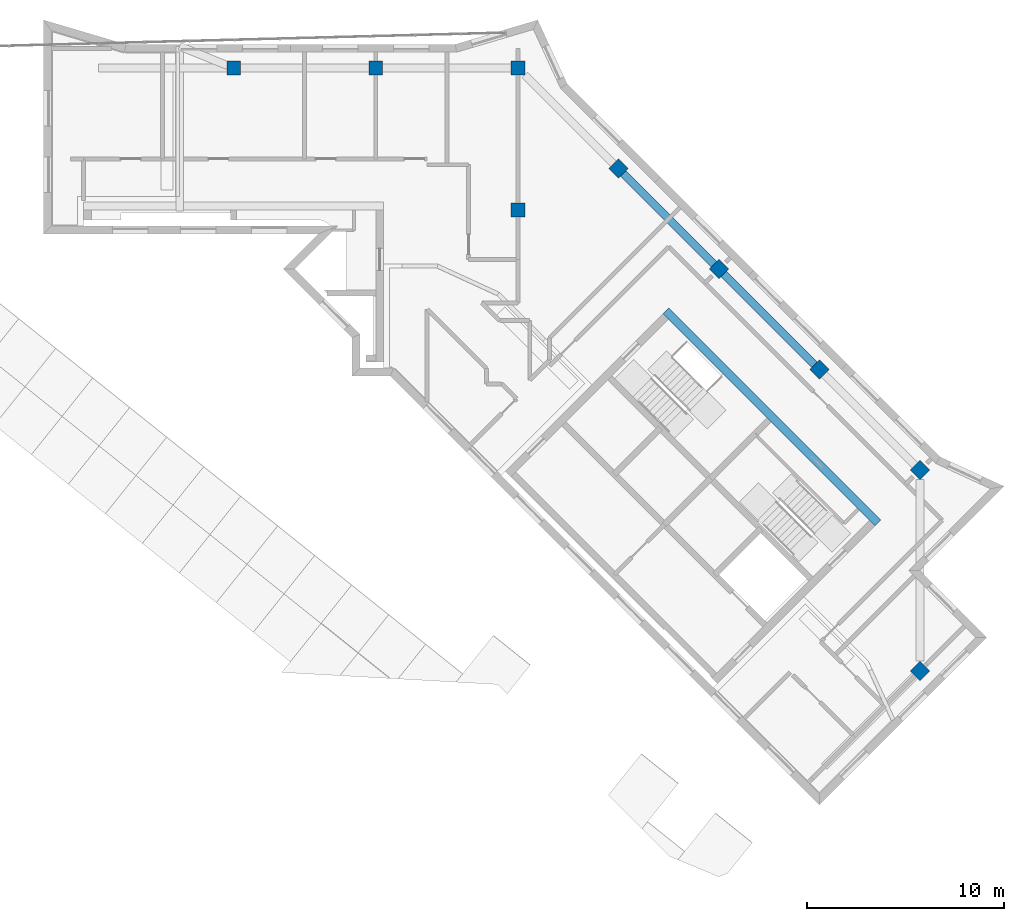
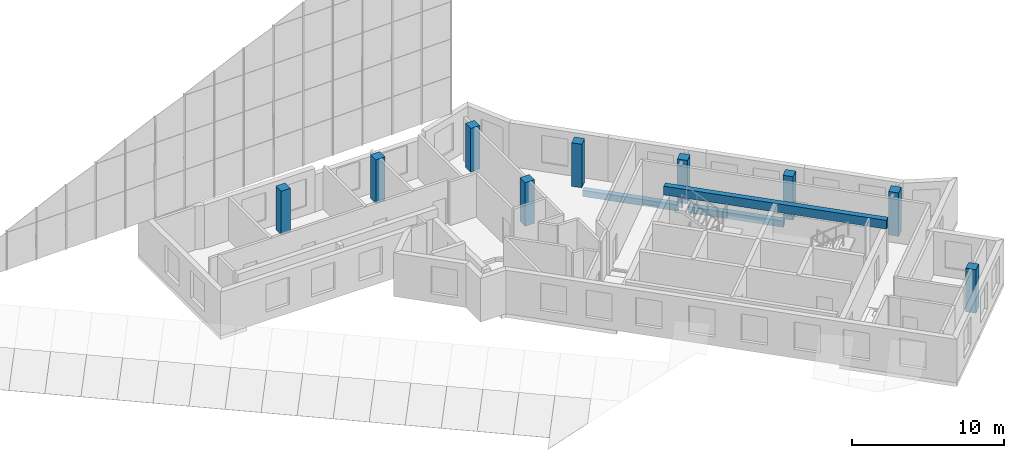
# One storey, part 1 of 13: 9 columns, 3 beams.
"""IFC4 building model written with IfcOpenShell, lengths in metres."""

import ifcopenshell
import ifcopenshell.guid

model = None  # the IFC model being written
_history = None  # IfcOwnerHistory: only IFC2X3 demands one
_inside = {}  # id of a spatial element -> (the spatial element, [elements in it])
_under = {}  # id of a project, library or spatial element -> (it, [spatial elements below it])
_declared = {}  # id of a project -> (the project, [libraries it declares])
_typed = {}  # id of a type object -> (the type object, [elements of that type])
_made_of = {}  # id of a material, layer set ... -> (it, [elements and type objects made of it])


def new_model(schema):
    """Start an empty IFC model of exactly this schema.

    Asked for "IFC4X3", IfcOpenShell would pick the latest addendum, in which some entities
    have other attributes; the version numbers below select the first issue.
    IFC2X3 requires an IfcOwnerHistory on every rooted entity: one is made here for all.
    """
    global model, _history
    if schema == "IFC4X3":
        model = ifcopenshell.file(schema_version=(4, 3, 0, 0))
    else:
        model = ifcopenshell.file(schema=schema)
    _inside.clear()
    _under.clear()
    _declared.clear()
    _typed.clear()
    _made_of.clear()
    _history = None
    if model.schema == "IFC2X3":
        org = make("IfcOrganization", Name="unknown")
        user = make(
            "IfcPersonAndOrganization",
            ThePerson=make("IfcPerson", FamilyName="unknown"),
            TheOrganization=org,
        )
        app = make(
            "IfcApplication",
            ApplicationDeveloper=org,
            Version="unknown",
            ApplicationFullName="unknown",
            ApplicationIdentifier="unknown",
        )
        _history = make(
            "IfcOwnerHistory",
            OwningUser=user,
            OwningApplication=app,
            ChangeAction="ADDED",
            CreationDate=0,
        )
    return model


def make(cls, **values):
    """One entity of the class cls with the attributes given. An attribute that is None is left unset."""
    return model.create_entity(
        cls, **{name: value for name, value in values.items() if value is not None}
    )


def rooted(cls, **values):
    """An entity with a GlobalId (a new one), such as an element, a storey or a relation."""
    return make(cls, GlobalId=ifcopenshell.guid.new(), OwnerHistory=_history, **values)


def si_unit(unit_type, name, prefix=None):
    """IfcSIUnit, for example si_unit("LENGTHUNIT", "METRE", prefix="MILLI")."""
    return make("IfcSIUnit", UnitType=unit_type, Prefix=prefix, Name=name)


def assignment(units):
    """IfcUnitAssignment: the units of a project."""
    return None if units is None else make("IfcUnitAssignment", Units=units)


def point(xyz):
    """IfcCartesianPoint."""
    return None if xyz is None else make("IfcCartesianPoint", Coordinates=xyz)


def direction(xyz):
    """IfcDirection."""
    return None if xyz is None else make("IfcDirection", DirectionRatios=xyz)


def frame(location, z_axis=None, x_axis=None):
    """IfcAxis2Placement3D, a coordinate frame: its origin and axes. An axis left out is left unset."""
    return make(
        "IfcAxis2Placement3D",
        Location=point(location),
        Axis=direction(z_axis),
        RefDirection=direction(x_axis),
    )


def frame_2d(location, x_axis=None):
    """IfcAxis2Placement2D, a coordinate frame in the plane: its origin and x axis."""
    return make(
        "IfcAxis2Placement2D", Location=point(location), RefDirection=direction(x_axis)
    )


def origin():
    """The frame at (0, 0, 0) with its axes left unset."""
    return frame((0.0, 0.0, 0.0))


def origin_2d():
    """The frame at (0, 0) in the plane with its x axis left unset."""
    return frame_2d((0.0, 0.0))


def place(relative_to, where):
    """IfcLocalPlacement: puts the frame where relative to a parent placement (None: the world)."""
    return make(
        "IfcLocalPlacement", PlacementRelTo=relative_to, RelativePlacement=where
    )


def context(
    kind, dimensions, precision=None, world=None, true_north=None, identifier=None
):
    """IfcGeometricRepresentationContext, for example the 3D "Model" context."""
    return make(
        "IfcGeometricRepresentationContext",
        ContextIdentifier=identifier,
        ContextType=kind,
        CoordinateSpaceDimension=dimensions,
        Precision=precision,
        WorldCoordinateSystem=world,
        TrueNorth=true_north,
    )


def subcontext(parent, identifier, kind, view, scale=None):
    """IfcGeometricRepresentationSubContext, for example "Body" below "Model"."""
    return make(
        "IfcGeometricRepresentationSubContext",
        ContextIdentifier=identifier,
        ContextType=kind,
        ParentContext=parent,
        TargetScale=scale,
        TargetView=view,
    )


def project(units=None, contexts=None):
    """IfcProject with its units and contexts."""
    return rooted(
        "IfcProject",
        Name="project",
        RepresentationContexts=contexts,
        UnitsInContext=assignment(units),
    )


def spatial(cls, under=None, at=None, **own):
    """A site, building, storey or space (cls), placed at a placement, below another one or the project."""
    s = rooted(cls, ObjectPlacement=at, **own)
    if under is not None:
        _under.setdefault(under.id(), (under, []))[1].append(s)
    return s


def profile(cls, at=None, kind="AREA", **sizes):
    """A parametric profile (cls). Its sizes go by their IFC names, for example OverallWidth=200.0."""
    return make(cls, ProfileType=kind, Position=at, **sizes)


def rectangle(**sizes):
    """IfcRectangleProfileDef."""
    return profile("IfcRectangleProfileDef", **sizes)


def extrude(swept, where, along, depth):
    """IfcExtrudedAreaSolid: the profile swept, set in the frame where, extruded along a direction by depth."""
    return make(
        "IfcExtrudedAreaSolid",
        SweptArea=swept,
        Position=where,
        ExtrudedDirection=direction(along),
        Depth=depth,
    )


def shape(context_of_items, identifier, shape_type, items):
    """IfcShapeRepresentation: the items that make up one representation, for example the "Body"."""
    return make(
        "IfcShapeRepresentation",
        ContextOfItems=context_of_items,
        RepresentationIdentifier=identifier,
        RepresentationType=shape_type,
        Items=items,
    )


def material(Name=None, Category=None):
    """IfcMaterial."""
    return make("IfcMaterial", Name=Name, Category=Category)


def material_profile(
    of_material, cross_section, Name=None, Category=None, Priority=None
):
    """IfcMaterialProfile: a cross section and its material."""
    return make(
        "IfcMaterialProfile",
        Name=Name,
        Material=of_material,
        Profile=cross_section,
        Priority=Priority,
        Category=Category,
    )


def profile_set(profiles, Name=None, composite=None):
    """IfcMaterialProfileSet."""
    return make(
        "IfcMaterialProfileSet",
        Name=Name,
        MaterialProfiles=profiles,
        CompositeProfile=composite,
    )


def made_of(thing, what):
    """Note that an element or type object is made of a material, layer set ...; save() writes the relation."""
    if what is not None:
        _made_of.setdefault(what.id(), (what, []))[1].append(thing)
    return thing


def type_object(cls, material=None, **own):
    """A type object (cls), such as IfcWallType, which elements share."""
    return made_of(rooted(cls, **own), material)


def element(
    cls,
    number,
    at=None,
    inside=None,
    cuts=None,
    type_object=None,
    material=None,
    context=None,
    identifier="Body",
    shape_type=None,
    held_by="IfcProductDefinitionShape",
    body=None,
    shapes=None,
    **own,
):
    """One element of the class cls, such as IfcWall. Its Tag is "e" and its number.

    at: its placement. inside: the storey or other place that contains it. cuts: it is an
    opening in that element (IfcRelVoidsElement). A single representation is given by context,
    identifier, shape_type and body (its items); several are given by shapes. held_by: the class
    of the entity that holds the representations. save() writes the other relations.
    """
    e = rooted(cls, Tag="e%d" % number, ObjectPlacement=at, **own)
    if body is not None:
        shapes = [shape(context, identifier, shape_type, body)]
    if shapes is not None:
        e.Representation = make(held_by, Representations=shapes)
    if inside is not None:
        _inside.setdefault(inside.id(), (inside, []))[1].append(e)
    if cuts is not None:
        rooted(
            "IfcRelVoidsElement", RelatingBuildingElement=cuts, RelatedOpeningElement=e
        )
    if type_object is not None:
        _typed.setdefault(type_object.id(), (type_object, []))[1].append(e)
    return made_of(e, material)


def aggregate(whole, parts):
    """IfcRelAggregates: a whole, such as a stair, and the parts it consists of."""
    return rooted("IfcRelAggregates", RelatingObject=whole, RelatedObjects=parts)


def save(model, path):
    """Write the relations noted so far, then the file.

    IfcRelAggregates (storeys below a building ...), IfcRelContainedInSpatialStructure (elements
    in a storey), IfcRelDefinesByType, IfcRelAssociatesMaterial and IfcRelDeclares: one each for
    every whole, place, type object, material and project.
    """
    for whole, parts in _under.values():
        aggregate(whole, parts)
    for where, things in _inside.values():
        rooted(
            "IfcRelContainedInSpatialStructure",
            RelatedElements=things,
            RelatingStructure=where,
        )
    for kind, things in _typed.values():
        rooted("IfcRelDefinesByType", RelatedObjects=things, RelatingType=kind)
    for what, things in _made_of.values():
        rooted("IfcRelAssociatesMaterial", RelatedObjects=things, RelatingMaterial=what)
    for by, libraries in _declared.values():
        rooted("IfcRelDeclares", RelatingContext=by, RelatedDefinitions=libraries)
    model.write(path)


model = new_model("IFC4")

# Units and contexts
model_context = context("Model", 3, precision=1e-05, world=origin(), true_north=direction((0.0, 1.0)))
body_context = subcontext(model_context, "Body", "Model", "MODEL_VIEW")
ifc_project = project(units=[si_unit("LENGTHUNIT", "METRE"), si_unit("AREAUNIT", "SQUARE_METRE"), si_unit("VOLUMEUNIT", "CUBIC_METRE"), si_unit("PLANEANGLEUNIT", "RADIAN"), si_unit("MASSUNIT", "GRAM", prefix="KILO")], contexts=[model_context])

# Site, building, storey
site_placement = place(None, origin())
site = spatial("IfcSite", under=ifc_project, at=site_placement, CompositionType="ELEMENT")
building_placement = place(site_placement, origin())
building = spatial("IfcBuilding", under=site, at=building_placement, Name="Windrow Commons", CompositionType="ELEMENT")
storey_placement = place(building_placement, frame((0.0, 0.0, 302.0)))
storey = spatial("IfcBuildingStorey", under=building, at=storey_placement, Name="L82", CompositionType="ELEMENT", Elevation=302.0)

# Columns
ifc_material_1 = material(Name="Concrete C40/50", Category="concrete")
ifc_material_profile_1 = material_profile(ifc_material_1, rectangle(XDim=0.7, YDim=0.7, at=origin_2d()))
ifc_profile_set_1 = profile_set([ifc_material_profile_1], Name="Concrete C40/50")
column_type = type_object("IfcColumnType", Name="RC COLUMN 700x700 C40/50", PredefinedType="COLUMN", material=ifc_profile_set_1)
for number, where, z_axis, x_axis, name in (
    (1, (64.8, 72.0, 0.0), (0.0, 0.0, 1.0), (1.0, 0.0, 0.0), "C-C-10J"),
    (2, (72.0, 72.0, 0.0), (0.0, 0.0, 1.0), (1.0, 0.0, 0.0), "C-C-11J"),
    (3, (79.2, 64.8, 0.0), (0.0, 0.0, 1.0), (1.0, 0.0, 0.0), "C-C-12I"),
    (4, (79.2, 72.0, 0.0), (0.0, 0.0, 1.0), (1.0, 0.0, 0.0), "C-C-12J"),
    (5, (84.2912, 66.9088, 0.0), (0.0, 0.0, 1.0), (0.7071067812, -0.7071067812, 0.0), "C-C-P2Q"),
    (6, (89.3823, 61.8177, 0.0), (0.0, 0.0, 1.0), (0.7071067812, -0.7071067812, 0.0), "C-C-P3Q"),
    (7, (94.4735, 56.7265, 0.0), (0.0, 0.0, 1.0), (0.7071067812, -0.7071067812, 0.0), "C-C-P4Q"),
    (8, (99.5647, 51.6353, 0.0), (0.0, 0.0, 1.0), (0.7071067812, -0.7071067812, 0.0), "C-C-P5Q"),
    (9, (99.5647, 41.453, 0.0), (0.0, 0.0, 1.0), (0.7071067812, -0.7071067812, 0.0), "C-C-P6R"),
):
    element("IfcColumn", number, at=place(storey_placement, frame(where, z_axis=z_axis, x_axis=x_axis)), inside=storey, type_object=column_type, Name=name, PredefinedType="COLUMN", context=body_context, shape_type="SweptSolid", body=[
        extrude(rectangle(XDim=0.7, YDim=0.7, at=origin_2d()), origin(), (0.0, 0.0, 1.0), 3.5),
    ])

# Beams
ifc_material_2 = material(Name="Concrete C40/50", Category="concrete")
ifc_material_profile_2 = material_profile(ifc_material_2, rectangle(XDim=0.4, YDim=0.7, at=origin_2d()))
ifc_profile_set_2 = profile_set([ifc_material_profile_2], Name="Concrete C40/50")
beam_type_1 = type_object("IfcBeamType", Name="RC COUPLING BEAM 400x700 C40/50", PredefinedType="LINTEL", material=ifc_profile_set_2)
beam_1_placement = place(storey_placement, frame((86.6953, 59.6963, 3.15), z_axis=(0.7071100706, -0.7071034917, 0.0), x_axis=(0.7071034917, 0.7071100706, 0.0)))
element("IfcBeam", 10, at=beam_1_placement, inside=storey, type_object=beam_type_1, Name="Core B coupling beam outer-N", PredefinedType="LINTEL", context=body_context, shape_type="SweptSolid", body=[
    extrude(rectangle(XDim=0.4, YDim=0.7, at=origin_2d()), origin(), (0.0, 0.0, 1.0), 15.2),
])
ifc_material_3 = material(Name="Concrete C40/50", Category="concrete")
ifc_material_profile_3 = material_profile(ifc_material_3, rectangle(XDim=0.4, YDim=0.5, at=origin_2d()))
ifc_profile_set_3 = profile_set([ifc_material_profile_3], Name="Concrete C40/50")
beam_type_2 = type_object("IfcBeamType", Name="RC EDGE BEAM 400x500 C40/50", PredefinedType="SPANDREL", material=ifc_profile_set_3)
beam_2_placement = place(storey_placement, frame((84.5387, 66.6613, -0.55), z_axis=(0.7071067812, -0.7071067812, 0.0), x_axis=(0.7071067812, 0.7071067812, 0.0)))
element("IfcBeam", 11, at=beam_2_placement, inside=storey, type_object=beam_type_2, Name="Edge beam L82 005", PredefinedType="SPANDREL", context=body_context, shape_type="SweptSolid", body=[
    extrude(rectangle(XDim=0.4, YDim=0.5, at=origin_2d()), origin(), (0.0, 0.0, 1.0), 6.4999),
])
beam_3_placement = place(storey_placement, frame((89.6298, 61.5702, -0.55), z_axis=(0.7071067812, -0.7071067812, 0.0), x_axis=(0.7071067812, 0.7071067812, 0.0)))
element("IfcBeam", 12, at=beam_3_placement, inside=storey, type_object=beam_type_2, Name="Edge beam L82 006", PredefinedType="SPANDREL", context=body_context, shape_type="SweptSolid", body=[
    extrude(rectangle(XDim=0.4, YDim=0.5, at=origin_2d()), origin(), (0.0, 0.0, 1.0), 6.5),
])

save(model, "model.ifc")
